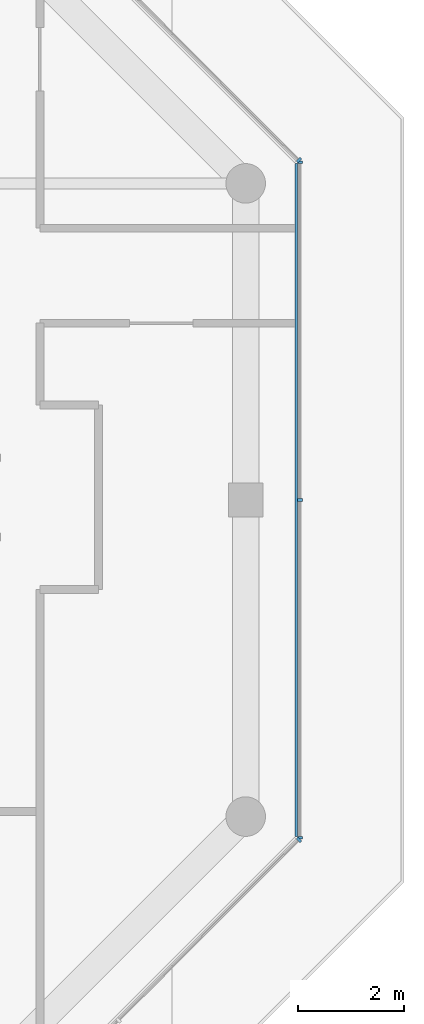
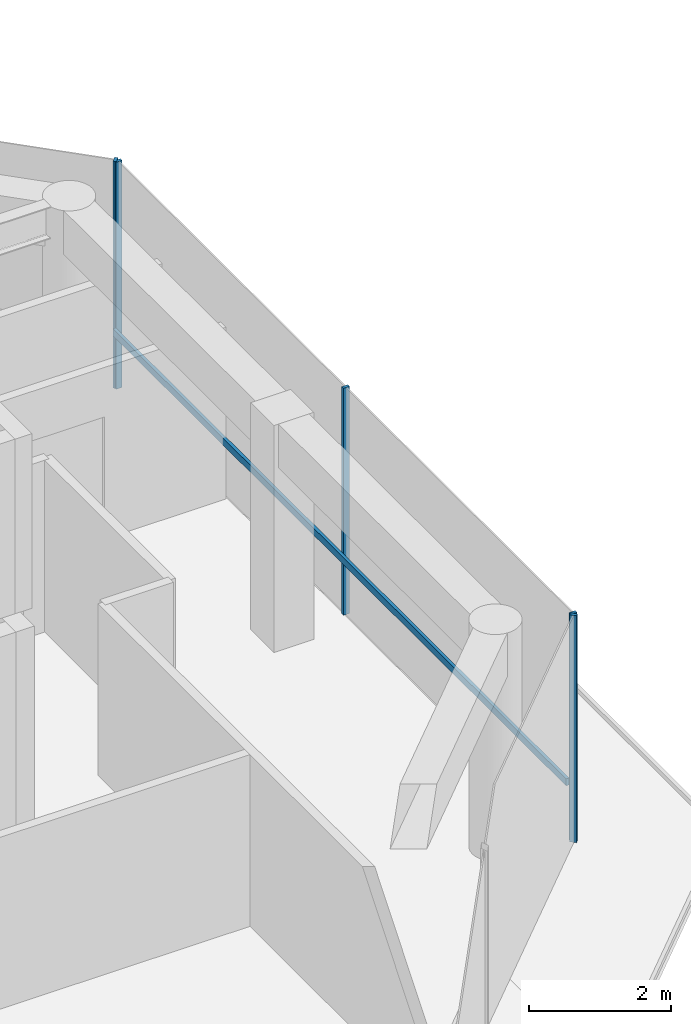
# One storey, part 6 of 15: 6 members, 3 elements without a shape of their own.
"""IFC4 building model written with IfcOpenShell, lengths in metres."""

from ifc_helpers import new_model, si_unit, direction, frame, origin, origin_2d, place, context, subcontext, project, spatial, rectangle, extrude, material, layer, layer_set, material_profile, profile_set, type_object, element, aggregate, save


model = new_model("IFC4")

# Units and contexts
model_context = context("Model", 3, precision=1e-05, world=origin(), true_north=direction((0.0, 1.0)))
body_context = subcontext(model_context, "Body", "Model", "MODEL_VIEW")
ifc_project = project(units=[si_unit("LENGTHUNIT", "METRE"), si_unit("AREAUNIT", "SQUARE_METRE"), si_unit("VOLUMEUNIT", "CUBIC_METRE"), si_unit("PLANEANGLEUNIT", "RADIAN"), si_unit("MASSUNIT", "GRAM", prefix="KILO")], contexts=[model_context])

# Site, building, storey
site_placement = place(None, origin())
site = spatial("IfcSite", under=ifc_project, at=site_placement, CompositionType="ELEMENT")
building_placement = place(site_placement, origin())
building = spatial("IfcBuilding", under=site, at=building_placement, Name="Welwitschia Terrace Campus", CompositionType="ELEMENT")
storey_placement = place(building_placement, frame((0.0, 0.0, 339.800048828125)))
storey = spatial("IfcBuildingStorey", under=building, at=storey_placement, Name="L76", CompositionType="ELEMENT", Elevation=339.800048828125)

# Curtain wall, member
ifc_material_1 = material(Name="Bronze anodised aluminium", Category="aluminium")
ifc_layer = layer(ifc_material_1, 0.10009765625)
ifc_layer_set = layer_set([ifc_layer], Name="Bronze anodised aluminium")
curtain_wall_type = type_object("IfcCurtainWallType", Name="Curtain wall CW5 crown 6000", PredefinedType="NOTDEFINED", material=ifc_layer_set)
curtain_wall_1_placement = place(storey_placement, origin())
curtain_wall_1 = element("IfcCurtainWall", 1, at=curtain_wall_1_placement, inside=storey, type_object=curtain_wall_type, Name="CW L76.4.0", PredefinedType="NOTDEFINED")
ifc_material_2 = material(Name="Bronze anodised aluminium", Category="aluminium")
ifc_material_profile_1 = material_profile(ifc_material_2, rectangle(XDim=0.10009765625, YDim=0.050048828125, at=origin_2d()))
ifc_profile_set_1 = profile_set([ifc_material_profile_1], Name="Bronze anodised aluminium")
member_type_1 = type_object("IfcMemberType", Name="Mullion 50x100", PredefinedType="MULLION", material=ifc_profile_set_1)
member_1_placement = place(storey_placement, frame((31.01220703125, 1.5556640625, 0.0), z_axis=(0.0, 0.0, 1.0), x_axis=(-0.707106781187, 0.707106781187, 0.0)))
member_1 = element("IfcMember", 2, at=member_1_placement, type_object=member_type_1, Name="Mullion L76.4.0.2", PredefinedType="MULLION", context=body_context, shape_type="SweptSolid", body=[
    extrude(rectangle(XDim=0.10009765625, YDim=0.050048828125, at=origin_2d()), origin(), (0.0, 0.0, 1.0), 3.89990234375),
])
aggregate(curtain_wall_1, [member_1])

# Curtain wall, members
curtain_wall_2_placement = place(storey_placement, origin())
curtain_wall_2 = element("IfcCurtainWall", 3, at=curtain_wall_2_placement, inside=storey, type_object=curtain_wall_type, Name="CW L76.5.0", PredefinedType="NOTDEFINED")
member_2_placement = place(storey_placement, frame((31.030029296875, 1.598388671875, 0.0), z_axis=(0.0, 0.0, 1.0), x_axis=(-1.0, 0.0, 0.0)))
member_2 = element("IfcMember", 4, at=member_2_placement, type_object=member_type_1, Name="Mullion L76.5.0.0", PredefinedType="MULLION", context=body_context, shape_type="SweptSolid", body=[
    extrude(rectangle(XDim=0.10009765625, YDim=0.050048828125, at=origin_2d()), origin(), (0.0, 0.0, 1.0), 3.89990234375),
])
member_3_placement = place(storey_placement, frame((31.030029296875, 8.0, 0.0), z_axis=(0.0, 0.0, 1.0), x_axis=(-1.0, 0.0, 0.0)))
member_3 = element("IfcMember", 5, at=member_3_placement, type_object=member_type_1, Name="Mullion L76.5.0.1", PredefinedType="MULLION", context=body_context, shape_type="SweptSolid", body=[
    extrude(rectangle(XDim=0.10009765625, YDim=0.050048828125, at=origin_2d()), origin(), (0.0, 0.0, 1.0), 3.89990234375),
])
member_4_placement = place(storey_placement, frame((31.030029296875, 14.401611328125, 0.0), z_axis=(0.0, 0.0, 1.0), x_axis=(-1.0, 0.0, 0.0)))
member_4 = element("IfcMember", 6, at=member_4_placement, type_object=member_type_1, Name="Mullion L76.5.0.2", PredefinedType="MULLION", context=body_context, shape_type="SweptSolid", body=[
    extrude(rectangle(XDim=0.10009765625, YDim=0.050048828125, at=origin_2d()), origin(), (0.0, 0.0, 1.0), 3.89990234375),
])

# Curtain wall, member
curtain_wall_3_placement = place(storey_placement, origin())
curtain_wall_3 = element("IfcCurtainWall", 7, at=curtain_wall_3_placement, inside=storey, type_object=curtain_wall_type, Name="CW L76.6.0", PredefinedType="NOTDEFINED")
member_5_placement = place(storey_placement, frame((31.01220703125, 14.4443359375, 0.0), z_axis=(0.0, 0.0, 1.0), x_axis=(-0.707106781187, -0.707106781187, 0.0)))
member_5 = element("IfcMember", 8, at=member_5_placement, type_object=member_type_1, Name="Mullion L76.6.0.0", PredefinedType="MULLION", context=body_context, shape_type="SweptSolid", body=[
    extrude(rectangle(XDim=0.10009765625, YDim=0.050048828125, at=origin_2d()), origin(), (0.0, 0.0, 1.0), 3.89990234375),
])
aggregate(curtain_wall_3, [member_5])

# Member
ifc_material_3 = material(Name="Bronze anodised aluminium", Category="aluminium")
ifc_material_profile_2 = material_profile(ifc_material_3, rectangle(XDim=0.050048828125, YDim=0.1201171875, at=origin_2d()))
ifc_profile_set_2 = profile_set([ifc_material_profile_2], Name="Bronze anodised aluminium")
member_type_2 = type_object("IfcMemberType", Name="Transom 50x120", PredefinedType="USERDEFINED", material=ifc_profile_set_2)
member_6_placement = place(storey_placement, frame((30.955078125, 1.623291015625, 1.0), z_axis=(0.0, 1.0, 0.0), x_axis=(-1.0, 0.0, 0.0)))
member_6 = element("IfcMember", 9, at=member_6_placement, type_object=member_type_2, Name="Transom L76.5.0", ObjectType="TRANSOM", PredefinedType="USERDEFINED", context=body_context, shape_type="SweptSolid", body=[
    extrude(rectangle(XDim=0.050048828125, YDim=0.1201171875, at=origin_2d()), origin(), (0.0, 0.0, 1.0), 12.75341796875),
])

aggregate(curtain_wall_2, [member_2, member_3, member_4, member_6])

save(model, "model.ifc")
